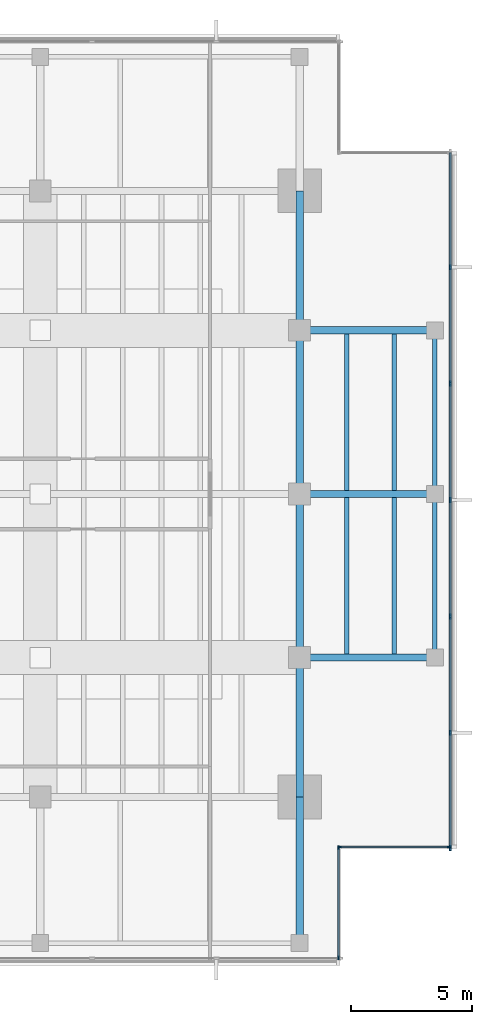
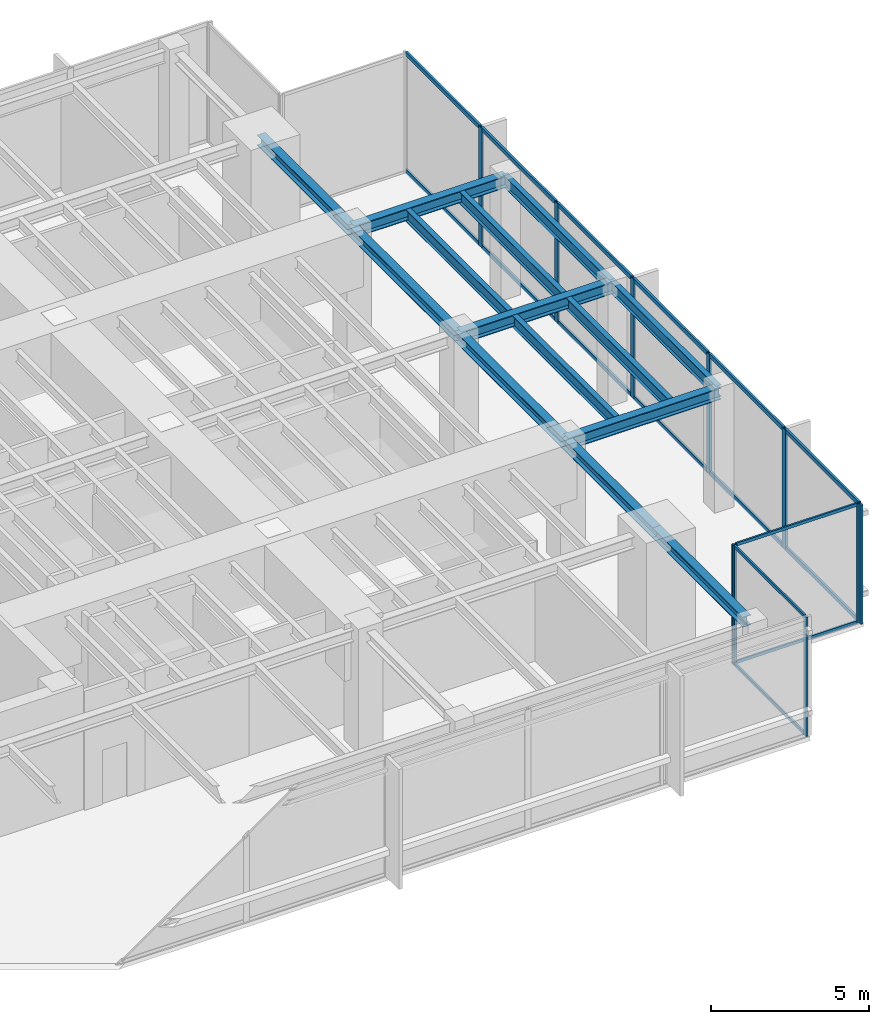
# One storey, part 4 of 14: 26 members, 14 beams, 3 elements without a shape of their own.
"""IFC4 building model written with IfcOpenShell, lengths in metres."""

from ifc_helpers import new_model, si_unit, direction, frame, origin, origin_2d, place, context, subcontext, project, spatial, rectangle, i_section, extrude, material, layer, layer_set, material_profile, profile_set, type_object, element, aggregate, save


model = new_model("IFC4")

# Units and contexts
model_context = context("Model", 3, precision=1e-05, world=origin(), true_north=direction((0.0, 1.0)))
body_context = subcontext(model_context, "Body", "Model", "MODEL_VIEW")
ifc_project = project(units=[si_unit("LENGTHUNIT", "METRE"), si_unit("AREAUNIT", "SQUARE_METRE"), si_unit("VOLUMEUNIT", "CUBIC_METRE"), si_unit("PLANEANGLEUNIT", "RADIAN"), si_unit("MASSUNIT", "GRAM", prefix="KILO")], contexts=[model_context])

# Site, building, storey
site_placement = place(None, origin())
site = spatial("IfcSite", under=ifc_project, at=site_placement, CompositionType="ELEMENT")
building_placement = place(site_placement, origin())
building = spatial("IfcBuilding", under=site, at=building_placement, Name="Kinhvarn Gate Tower", CompositionType="ELEMENT")
storey_placement = place(building_placement, frame((0.0, 0.0, 291.85009765625)))
storey = spatial("IfcBuildingStorey", under=building, at=storey_placement, Name="L78", CompositionType="ELEMENT", Elevation=291.85009765625)

# Curtain wall, members
ifc_material_1 = material(Name="Anodised aluminium AW-6063", Category="aluminium")
ifc_layer_1 = layer(ifc_material_1, 0.179931640625)
ifc_layer_set_1 = layer_set([ifc_layer_1], Name="Anodised aluminium AW-6063")
curtain_wall_type_1 = type_object("IfcCurtainWallType", Name="CW-SYS-4", PredefinedType="NOTDEFINED", material=ifc_layer_set_1)
curtain_wall_1_placement = place(storey_placement, origin())
curtain_wall_1 = element("IfcCurtainWall", 1, at=curtain_wall_1_placement, inside=storey, type_object=curtain_wall_type_1, Name="Curtain Wall CW4 (L78)", PredefinedType="NOTDEFINED")
ifc_material_profile_1 = material_profile(ifc_material_1, rectangle(XDim=0.06494140625, YDim=0.159912109375, at=origin_2d()), Name="ALU 65x160")
ifc_profile_set_1 = profile_set([ifc_material_profile_1], Name="Anodised aluminium AW-6063")
member_type_1 = type_object("IfcMemberType", Name="CW-MUL-160", PredefinedType="MULLION", material=ifc_profile_set_1)
member_1_placement = place(storey_placement, frame((39.81005859375, 6.12255859375, 0.0), z_axis=(0.0, 0.0, 1.0), x_axis=(-1.0, 0.0, 0.0)))
member_1 = element("IfcMember", 2, at=member_1_placement, type_object=member_type_1, Name="CW4 mullion 1", PredefinedType="MULLION", context=body_context, shape_type="SweptSolid", body=[
    extrude(rectangle(XDim=0.06494140625, YDim=0.159912109375, at=origin_2d()), origin(), (0.0, 0.0, 1.0), 4.599853515625),
])
member_2_placement = place(storey_placement, frame((39.81005859375, 10.657470703125, 0.0), z_axis=(0.0, 0.0, 1.0), x_axis=(-1.0, 0.0, 0.0)))
member_2 = element("IfcMember", 3, at=member_2_placement, type_object=member_type_1, Name="CW4 mullion 2", PredefinedType="MULLION", context=body_context, shape_type="SweptSolid", body=[
    extrude(rectangle(XDim=0.06494140625, YDim=0.159912109375, at=origin_2d()), origin(), (0.0, 0.0, 1.0), 4.599853515625),
])

curtain_wall_2_placement = place(storey_placement, origin())
curtain_wall_2 = element("IfcCurtainWall", 4, at=curtain_wall_2_placement, inside=storey, type_object=curtain_wall_type_1, Name="Curtain Wall CW4 (L78)", PredefinedType="NOTDEFINED")
member_3_placement = place(storey_placement, frame((39.842529296875, 10.68994140625, 0.0), z_axis=(0.0, 0.0, 1.0), x_axis=(0.0, 1.0, 0.0)))
member_3 = element("IfcMember", 5, at=member_3_placement, type_object=member_type_1, Name="CW4 mullion 1", PredefinedType="MULLION", context=body_context, shape_type="SweptSolid", body=[
    extrude(rectangle(XDim=0.06494140625, YDim=0.159912109375, at=origin_2d()), origin(), (0.0, 0.0, 1.0), 4.599853515625),
])
member_4_placement = place(storey_placement, frame((44.37744140625, 10.68994140625, 0.0), z_axis=(0.0, 0.0, 1.0), x_axis=(0.0, 1.0, 0.0)))
member_4 = element("IfcMember", 6, at=member_4_placement, type_object=member_type_1, Name="CW4 mullion 2", PredefinedType="MULLION", context=body_context, shape_type="SweptSolid", body=[
    extrude(rectangle(XDim=0.06494140625, YDim=0.159912109375, at=origin_2d()), origin(), (0.0, 0.0, 1.0), 4.599853515625),
])

ifc_layer_2 = layer(ifc_material_1, 0.219970703125)
ifc_layer_set_2 = layer_set([ifc_layer_2], Name="Anodised aluminium AW-6063")
curtain_wall_type_2 = type_object("IfcCurtainWallType", Name="CW-SYS-5", PredefinedType="NOTDEFINED", material=ifc_layer_set_2)
curtain_wall_3_placement = place(storey_placement, origin())
curtain_wall_3 = element("IfcCurtainWall", 7, at=curtain_wall_3_placement, inside=storey, type_object=curtain_wall_type_2, Name="Curtain Wall CW5 (L78)", PredefinedType="NOTDEFINED")
ifc_material_profile_2 = material_profile(ifc_material_1, rectangle(XDim=0.080078125, YDim=0.219970703125, at=origin_2d()), Name="ALU 80x220")
ifc_profile_set_2 = profile_set([ifc_material_profile_2], Name="Anodised aluminium AW-6063")
member_type_2 = type_object("IfcMemberType", Name="CW-MUL-220", PredefinedType="MULLION", material=ifc_profile_set_2)
member_5_placement = place(storey_placement, frame((44.409912109375, 10.639892578125, 0.0), z_axis=(0.0, 0.0, 1.0), x_axis=(-1.0, 0.0, 0.0)))
member_5 = element("IfcMember", 8, at=member_5_placement, type_object=member_type_2, Name="CW5 mullion 1", PredefinedType="MULLION", context=body_context, shape_type="SweptSolid", body=[
    extrude(rectangle(XDim=0.080078125, YDim=0.219970703125, at=origin_2d()), origin(), (0.0, 0.0, 1.0), 4.599853515625),
])
member_6_placement = place(storey_placement, frame((44.409912109375, 15.39990234375, 0.0), z_axis=(0.0, 0.0, 1.0), x_axis=(-1.0, 0.0, 0.0)))
member_6 = element("IfcMember", 9, at=member_6_placement, type_object=member_type_2, Name="CW5 mullion 2", PredefinedType="MULLION", context=body_context, shape_type="SweptSolid", body=[
    extrude(rectangle(XDim=0.080078125, YDim=0.219970703125, at=origin_2d()), origin(), (0.0, 0.0, 1.0), 4.599853515625),
])
member_7_placement = place(storey_placement, frame((44.409912109375, 20.199951171875, 0.0), z_axis=(0.0, 0.0, 1.0), x_axis=(-1.0, 0.0, 0.0)))
member_7 = element("IfcMember", 10, at=member_7_placement, type_object=member_type_2, Name="CW5 mullion 3", PredefinedType="MULLION", context=body_context, shape_type="SweptSolid", body=[
    extrude(rectangle(XDim=0.080078125, YDim=0.219970703125, at=origin_2d()), origin(), (0.0, 0.0, 1.0), 4.599853515625),
])
member_8_placement = place(storey_placement, frame((44.409912109375, 25.0, 0.0), z_axis=(0.0, 0.0, 1.0), x_axis=(-1.0, 0.0, 0.0)))
member_8 = element("IfcMember", 11, at=member_8_placement, type_object=member_type_2, Name="CW5 mullion 4", PredefinedType="MULLION", context=body_context, shape_type="SweptSolid", body=[
    extrude(rectangle(XDim=0.080078125, YDim=0.219970703125, at=origin_2d()), origin(), (0.0, 0.0, 1.0), 4.599853515625),
])
member_9_placement = place(storey_placement, frame((44.409912109375, 29.800048828125, 0.0), z_axis=(0.0, 0.0, 1.0), x_axis=(-1.0, 0.0, 0.0)))
member_9 = element("IfcMember", 12, at=member_9_placement, type_object=member_type_2, Name="CW5 mullion 5", PredefinedType="MULLION", context=body_context, shape_type="SweptSolid", body=[
    extrude(rectangle(XDim=0.080078125, YDim=0.219970703125, at=origin_2d()), origin(), (0.0, 0.0, 1.0), 4.599853515625),
])
member_10_placement = place(storey_placement, frame((44.409912109375, 34.60009765625, 0.0), z_axis=(0.0, 0.0, 1.0), x_axis=(-1.0, 0.0, 0.0)))
member_10 = element("IfcMember", 13, at=member_10_placement, type_object=member_type_2, Name="CW5 mullion 6", PredefinedType="MULLION", context=body_context, shape_type="SweptSolid", body=[
    extrude(rectangle(XDim=0.080078125, YDim=0.219970703125, at=origin_2d()), origin(), (0.0, 0.0, 1.0), 4.599853515625),
])

# Member
ifc_material_profile_3 = material_profile(ifc_material_1, rectangle(XDim=0.06494140625, YDim=0.1201171875, at=origin_2d()), Name="ALU 65x120")
ifc_profile_set_3 = profile_set([ifc_material_profile_3], Name="Anodised aluminium AW-6063")
member_type_3 = type_object("IfcMemberType", Name="CW-TRN-120", PredefinedType="USERDEFINED", material=ifc_profile_set_3)
member_11_placement = place(storey_placement, frame((39.81005859375, 6.155029296875, 0.032470703125), z_axis=(0.0, 1.0, 0.0), x_axis=(-1.0, 0.0, 0.0)))
member_11 = element("IfcMember", 14, at=member_11_placement, type_object=member_type_3, Name="CW4 transom 1.1", ObjectType="TRANSOM", PredefinedType="USERDEFINED", context=body_context, shape_type="SweptSolid", body=[
    extrude(rectangle(XDim=0.06494140625, YDim=0.1201171875, at=origin_2d()), origin(), (0.0, 0.0, 1.0), 4.469970703125),
])

member_12_placement = place(storey_placement, frame((39.81005859375, 6.155029296875, 4.5673828125), z_axis=(0.0, 1.0, 0.0), x_axis=(-1.0, 0.0, 0.0)))
member_12 = element("IfcMember", 15, at=member_12_placement, type_object=member_type_3, Name="CW4 transom 1.2", ObjectType="TRANSOM", PredefinedType="USERDEFINED", context=body_context, shape_type="SweptSolid", body=[
    extrude(rectangle(XDim=0.06494140625, YDim=0.1201171875, at=origin_2d()), origin(), (0.0, 0.0, 1.0), 4.469970703125),
])

aggregate(curtain_wall_1, [member_1, member_2, member_11, member_12])

member_13_placement = place(storey_placement, frame((39.875, 10.68994140625, 0.032470703125), z_axis=(1.0, 0.0, 0.0), x_axis=(0.0, 1.0, 0.0)))
member_13 = element("IfcMember", 16, at=member_13_placement, type_object=member_type_3, Name="CW4 transom 1.1", ObjectType="TRANSOM", PredefinedType="USERDEFINED", context=body_context, shape_type="SweptSolid", body=[
    extrude(rectangle(XDim=0.06494140625, YDim=0.1201171875, at=origin_2d()), origin(), (0.0, 0.0, 1.0), 4.469970703125),
])

member_14_placement = place(storey_placement, frame((39.875, 10.68994140625, 4.5673828125), z_axis=(1.0, 0.0, 0.0), x_axis=(0.0, 1.0, 0.0)))
member_14 = element("IfcMember", 17, at=member_14_placement, type_object=member_type_3, Name="CW4 transom 1.2", ObjectType="TRANSOM", PredefinedType="USERDEFINED", context=body_context, shape_type="SweptSolid", body=[
    extrude(rectangle(XDim=0.06494140625, YDim=0.1201171875, at=origin_2d()), origin(), (0.0, 0.0, 1.0), 4.469970703125),
])

aggregate(curtain_wall_2, [member_3, member_4, member_13, member_14])

ifc_material_profile_4 = material_profile(ifc_material_1, rectangle(XDim=0.080078125, YDim=0.159912109375, at=origin_2d()), Name="ALU 80x160")
ifc_profile_set_4 = profile_set([ifc_material_profile_4], Name="Anodised aluminium AW-6063")
member_type_4 = type_object("IfcMemberType", Name="CW-TRN-160", PredefinedType="USERDEFINED", material=ifc_profile_set_4)
member_15_placement = place(storey_placement, frame((44.409912109375, 10.679931640625, 0.039794921875), z_axis=(0.0, 1.0, 0.0), x_axis=(-1.0, 0.0, 0.0)))
member_15 = element("IfcMember", 18, at=member_15_placement, type_object=member_type_4, Name="CW5 transom 1.1", ObjectType="TRANSOM", PredefinedType="USERDEFINED", context=body_context, shape_type="SweptSolid", body=[
    extrude(rectangle(XDim=0.080078125, YDim=0.159912109375, at=origin_2d()), origin(), (0.0, 0.0, 1.0), 4.68017578125),
])

member_16_placement = place(storey_placement, frame((44.409912109375, 10.679931640625, 4.559814453125), z_axis=(0.0, 1.0, 0.0), x_axis=(-1.0, 0.0, 0.0)))
member_16 = element("IfcMember", 19, at=member_16_placement, type_object=member_type_4, Name="CW5 transom 1.2", ObjectType="TRANSOM", PredefinedType="USERDEFINED", context=body_context, shape_type="SweptSolid", body=[
    extrude(rectangle(XDim=0.080078125, YDim=0.159912109375, at=origin_2d()), origin(), (0.0, 0.0, 1.0), 4.68017578125),
])

member_17_placement = place(storey_placement, frame((44.409912109375, 15.43994140625, 0.039794921875), z_axis=(0.0, 1.0, 0.0), x_axis=(-1.0, 0.0, 0.0)))
member_17 = element("IfcMember", 20, at=member_17_placement, type_object=member_type_4, Name="CW5 transom 2.1", ObjectType="TRANSOM", PredefinedType="USERDEFINED", context=body_context, shape_type="SweptSolid", body=[
    extrude(rectangle(XDim=0.080078125, YDim=0.159912109375, at=origin_2d()), origin(), (0.0, 0.0, 1.0), 4.719970703125),
])

member_18_placement = place(storey_placement, frame((44.409912109375, 15.43994140625, 4.559814453125), z_axis=(0.0, 1.0, 0.0), x_axis=(-1.0, 0.0, 0.0)))
member_18 = element("IfcMember", 21, at=member_18_placement, type_object=member_type_4, Name="CW5 transom 2.2", ObjectType="TRANSOM", PredefinedType="USERDEFINED", context=body_context, shape_type="SweptSolid", body=[
    extrude(rectangle(XDim=0.080078125, YDim=0.159912109375, at=origin_2d()), origin(), (0.0, 0.0, 1.0), 4.719970703125),
])

member_19_placement = place(storey_placement, frame((44.409912109375, 20.239990234375, 0.039794921875), z_axis=(0.0, 1.0, 0.0), x_axis=(-1.0, 0.0, 0.0)))
member_19 = element("IfcMember", 22, at=member_19_placement, type_object=member_type_4, Name="CW5 transom 3.1", ObjectType="TRANSOM", PredefinedType="USERDEFINED", context=body_context, shape_type="SweptSolid", body=[
    extrude(rectangle(XDim=0.080078125, YDim=0.159912109375, at=origin_2d()), origin(), (0.0, 0.0, 1.0), 4.719970703125),
])

member_20_placement = place(storey_placement, frame((44.409912109375, 20.239990234375, 4.559814453125), z_axis=(0.0, 1.0, 0.0), x_axis=(-1.0, 0.0, 0.0)))
member_20 = element("IfcMember", 23, at=member_20_placement, type_object=member_type_4, Name="CW5 transom 3.2", ObjectType="TRANSOM", PredefinedType="USERDEFINED", context=body_context, shape_type="SweptSolid", body=[
    extrude(rectangle(XDim=0.080078125, YDim=0.159912109375, at=origin_2d()), origin(), (0.0, 0.0, 1.0), 4.719970703125),
])

member_21_placement = place(storey_placement, frame((44.409912109375, 25.0400390625, 0.039794921875), z_axis=(0.0, 1.0, 0.0), x_axis=(-1.0, 0.0, 0.0)))
member_21 = element("IfcMember", 24, at=member_21_placement, type_object=member_type_4, Name="CW5 transom 4.1", ObjectType="TRANSOM", PredefinedType="USERDEFINED", context=body_context, shape_type="SweptSolid", body=[
    extrude(rectangle(XDim=0.080078125, YDim=0.159912109375, at=origin_2d()), origin(), (0.0, 0.0, 1.0), 4.719970703125),
])

member_22_placement = place(storey_placement, frame((44.409912109375, 25.0400390625, 4.559814453125), z_axis=(0.0, 1.0, 0.0), x_axis=(-1.0, 0.0, 0.0)))
member_22 = element("IfcMember", 25, at=member_22_placement, type_object=member_type_4, Name="CW5 transom 4.2", ObjectType="TRANSOM", PredefinedType="USERDEFINED", context=body_context, shape_type="SweptSolid", body=[
    extrude(rectangle(XDim=0.080078125, YDim=0.159912109375, at=origin_2d()), origin(), (0.0, 0.0, 1.0), 4.719970703125),
])

member_23_placement = place(storey_placement, frame((44.409912109375, 29.840087890625, 0.039794921875), z_axis=(0.0, 1.0, 0.0), x_axis=(-1.0, 0.0, 0.0)))
member_23 = element("IfcMember", 26, at=member_23_placement, type_object=member_type_4, Name="CW5 transom 5.1", ObjectType="TRANSOM", PredefinedType="USERDEFINED", context=body_context, shape_type="SweptSolid", body=[
    extrude(rectangle(XDim=0.080078125, YDim=0.159912109375, at=origin_2d()), origin(), (0.0, 0.0, 1.0), 4.719970703125),
])

member_24_placement = place(storey_placement, frame((44.409912109375, 29.840087890625, 4.559814453125), z_axis=(0.0, 1.0, 0.0), x_axis=(-1.0, 0.0, 0.0)))
member_24 = element("IfcMember", 27, at=member_24_placement, type_object=member_type_4, Name="CW5 transom 5.2", ObjectType="TRANSOM", PredefinedType="USERDEFINED", context=body_context, shape_type="SweptSolid", body=[
    extrude(rectangle(XDim=0.080078125, YDim=0.159912109375, at=origin_2d()), origin(), (0.0, 0.0, 1.0), 4.719970703125),
])

member_25_placement = place(storey_placement, frame((44.409912109375, 34.639892578125, 0.039794921875), z_axis=(0.0, 1.0, 0.0), x_axis=(-1.0, 0.0, 0.0)))
member_25 = element("IfcMember", 28, at=member_25_placement, type_object=member_type_4, Name="CW5 transom 6.1", ObjectType="TRANSOM", PredefinedType="USERDEFINED", context=body_context, shape_type="SweptSolid", body=[
    extrude(rectangle(XDim=0.080078125, YDim=0.159912109375, at=origin_2d()), origin(), (0.0, 0.0, 1.0), 4.68017578125),
])

member_26_placement = place(storey_placement, frame((44.409912109375, 34.639892578125, 4.559814453125), z_axis=(0.0, 1.0, 0.0), x_axis=(-1.0, 0.0, 0.0)))
member_26 = element("IfcMember", 29, at=member_26_placement, type_object=member_type_4, Name="CW5 transom 6.2", ObjectType="TRANSOM", PredefinedType="USERDEFINED", context=body_context, shape_type="SweptSolid", body=[
    extrude(rectangle(XDim=0.080078125, YDim=0.159912109375, at=origin_2d()), origin(), (0.0, 0.0, 1.0), 4.68017578125),
])

aggregate(curtain_wall_3, [member_5, member_6, member_7, member_8, member_9, member_10, member_15, member_16, member_17, member_18, member_19, member_20, member_21, member_22, member_23, member_24, member_25, member_26])

# Beams
ifc_material_2 = material(Name="Steel S355", Category="steel")
ifc_material_profile_5 = material_profile(ifc_material_2, i_section(OverallWidth=0.300048828125, OverallDepth=0.39990234375, WebThickness=0.013427734375, FlangeThickness=0.02392578125, at=origin_2d()), Name="HEB 400")
ifc_profile_set_5 = profile_set([ifc_material_profile_5], Name="Steel S355")
beam_type_1 = type_object("IfcBeamType", Name="STL-HEB400", PredefinedType="BEAM", material=ifc_profile_set_5)
beam_1_placement = place(storey_placement, frame((38.199951171875, 7.054931640625, 4.39990234375), z_axis=(0.0, 1.0, 0.0), x_axis=(-1.0, 0.0, 0.0)))
element("IfcBeam", 30, at=beam_1_placement, inside=storey, type_object=beam_type_1, Name="Floor Beam PG-12 (L78 MCE-S)", PredefinedType="BEAM", context=body_context, shape_type="SweptSolid", body=[
    extrude(i_section(OverallWidth=0.300048828125, OverallDepth=0.39990234375, WebThickness=0.013427734375, FlangeThickness=0.02392578125, at=origin_2d()), origin(), (0.0, 0.0, 1.0), 5.695068359375),
])
beam_2_placement = place(storey_placement, frame((38.199951171875, 12.75, 4.39990234375), z_axis=(0.0, 1.0, 0.0), x_axis=(-1.0, 0.0, 0.0)))
element("IfcBeam", 31, at=beam_2_placement, inside=storey, type_object=beam_type_1, Name="Floor Beam PG-12 (L78 MG-E-12)", PredefinedType="BEAM", context=body_context, shape_type="SweptSolid", body=[
    extrude(i_section(OverallWidth=0.300048828125, OverallDepth=0.39990234375, WebThickness=0.013427734375, FlangeThickness=0.02392578125, at=origin_2d()), origin(), (0.0, 0.0, 1.0), 5.75),
])
for number, where, z_axis, x_axis, name in (
    (32, (38.199951171875, 18.5, 4.39990234375), (0.0, 1.0, 0.0), (-1.0, 0.0, 0.0), "Floor Beam PG-12 (L78 MG-E-18)"),
    (33, (38.199951171875, 25.25, 4.39990234375), (0.0, 1.0, 0.0), (-1.0, 0.0, 0.0), "Floor Beam PG-12 (L78 MG-E-25)"),
):
    element("IfcBeam", number, at=place(storey_placement, frame(where, z_axis=z_axis, x_axis=x_axis)), inside=storey, type_object=beam_type_1, Name=name, PredefinedType="BEAM", context=body_context, shape_type="SweptSolid", body=[
        extrude(i_section(OverallWidth=0.300048828125, OverallDepth=0.39990234375, WebThickness=0.013427734375, FlangeThickness=0.02392578125, at=origin_2d()), origin(), (0.0, 0.0, 1.0), 6.75),
    ])
beam_3_placement = place(storey_placement, frame((38.199951171875, 32.0, 4.39990234375), z_axis=(0.0, 1.0, 0.0), x_axis=(-1.0, 0.0, 0.0)))
element("IfcBeam", 34, at=beam_3_placement, inside=storey, type_object=beam_type_1, Name="Floor Beam PG-12 (L78 MG-E-32)", PredefinedType="BEAM", context=body_context, shape_type="SweptSolid", body=[
    extrude(i_section(OverallWidth=0.300048828125, OverallDepth=0.39990234375, WebThickness=0.013427734375, FlangeThickness=0.02392578125, at=origin_2d()), origin(), (0.0, 0.0, 1.0), 5.75),
])
ifc_material_profile_6 = material_profile(ifc_material_2, i_section(OverallWidth=0.300048828125, OverallDepth=0.449951171875, WebThickness=0.013916015625, FlangeThickness=0.02587890625, at=origin_2d()), Name="HEB 450")
ifc_profile_set_6 = profile_set([ifc_material_profile_6], Name="Steel S355")
beam_type_2 = type_object("IfcBeamType", Name="STL-HEB450", PredefinedType="BEAM", material=ifc_profile_set_6)
for number, where, z_axis, x_axis, name in (
    (35, (38.199951171875, 18.5, 4.375), (1.0, 0.0, 0.0), (0.0, 1.0, 0.0), "Floor Beam PG-13 (L78 EW2-Y18)"),
    (36, (38.199951171875, 25.25, 4.375), (1.0, 0.0, 0.0), (0.0, 1.0, 0.0), "Floor Beam PG-13 (L78 EW2-Y25)"),
    (37, (38.199951171875, 32.0, 4.375), (1.0, 0.0, 0.0), (0.0, 1.0, 0.0), "Floor Beam PG-13 (L78 EW2-Y32)"),
):
    element("IfcBeam", number, at=place(storey_placement, frame(where, z_axis=z_axis, x_axis=x_axis)), inside=storey, type_object=beam_type_2, Name=name, PredefinedType="BEAM", context=body_context, shape_type="SweptSolid", body=[
        extrude(i_section(OverallWidth=0.300048828125, OverallDepth=0.449951171875, WebThickness=0.013916015625, FlangeThickness=0.02587890625, at=origin_2d()), origin(), (0.0, 0.0, 1.0), 5.580078125),
    ])
ifc_material_profile_7 = material_profile(ifc_material_2, i_section(OverallWidth=0.18994140625, OverallDepth=0.449951171875, WebThickness=0.009521484375, FlangeThickness=0.0146484375, at=origin_2d()), Name="IPE 450")
ifc_profile_set_7 = profile_set([ifc_material_profile_7], Name="Steel S355")
beam_type_3 = type_object("IfcBeamType", Name="STL-IPE450", PredefinedType="JOIST", material=ifc_profile_set_7)
for number, where, z_axis, x_axis, name in (
    (38, (43.780029296875, 18.5, 4.375), (0.0, 1.0, 0.0), (-1.0, 0.0, 0.0), "Floor Joist SB-06 (L78 SP-E2)"),
    (39, (43.780029296875, 25.25, 4.375), (0.0, 1.0, 0.0), (-1.0, 0.0, 0.0), "Floor Joist SB-06 (L78 SP-E3)"),
):
    element("IfcBeam", number, at=place(storey_placement, frame(where, z_axis=z_axis, x_axis=x_axis)), inside=storey, type_object=beam_type_3, Name=name, PredefinedType="JOIST", context=body_context, shape_type="SweptSolid", body=[
        extrude(i_section(OverallWidth=0.18994140625, OverallDepth=0.449951171875, WebThickness=0.009521484375, FlangeThickness=0.0146484375, at=origin_2d()), origin(), (0.0, 0.0, 1.0), 6.75),
    ])
for number, where, z_axis, x_axis, name in (
    (40, (40.14990234375, 18.64990234375, 4.375), (0.0, 1.0, 0.0), (-1.0, 0.0, 0.0), "Floor Joist SB-06 (L78 JC-X401-1)"),
    (41, (40.14990234375, 25.39990234375, 4.375), (0.0, 1.0, 0.0), (-1.0, 0.0, 0.0), "Floor Joist SB-06 (L78 JC-X401-2)"),
    (42, (42.110107421875, 18.64990234375, 4.375), (0.0, 1.0, 0.0), (-1.0, 0.0, 0.0), "Floor Joist SB-06 (L78 JC-X421-1)"),
    (43, (42.110107421875, 25.39990234375, 4.375), (0.0, 1.0, 0.0), (-1.0, 0.0, 0.0), "Floor Joist SB-06 (L78 JC-X421-2)"),
):
    element("IfcBeam", number, at=place(storey_placement, frame(where, z_axis=z_axis, x_axis=x_axis)), inside=storey, type_object=beam_type_3, Name=name, PredefinedType="JOIST", context=body_context, shape_type="SweptSolid", body=[
        extrude(i_section(OverallWidth=0.18994140625, OverallDepth=0.449951171875, WebThickness=0.009521484375, FlangeThickness=0.0146484375, at=origin_2d()), origin(), (0.0, 0.0, 1.0), 6.4501953125),
    ])

save(model, "model.ifc")
